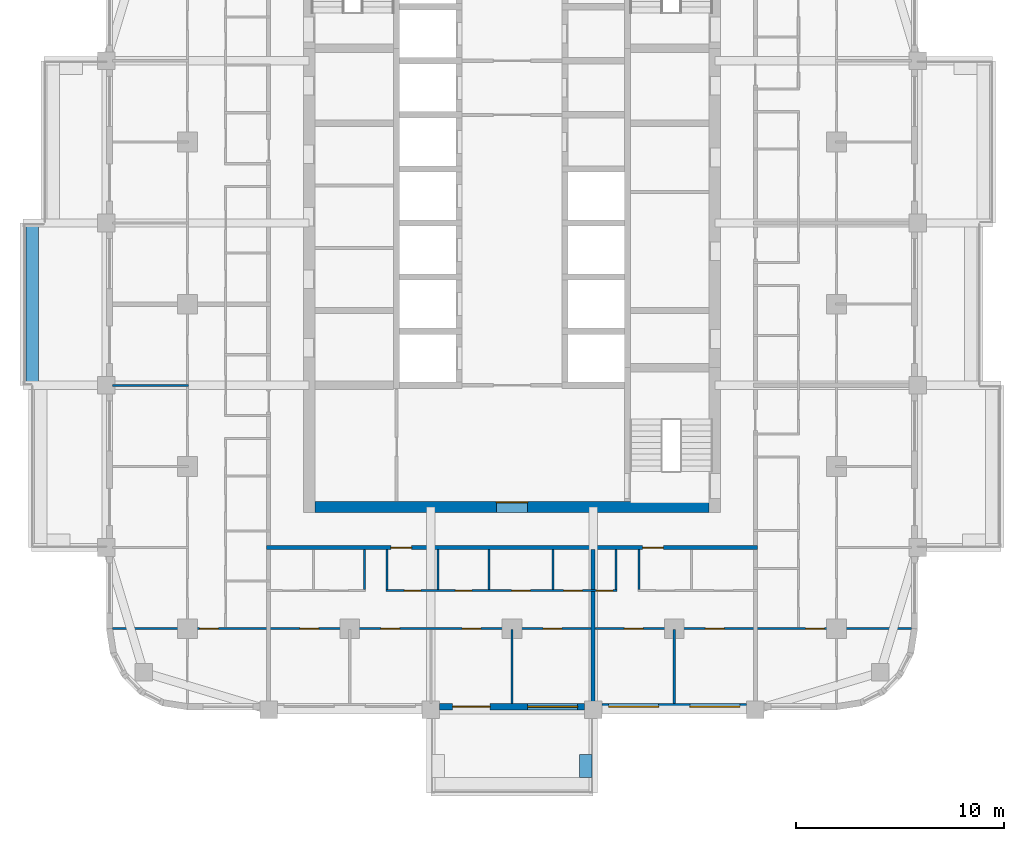
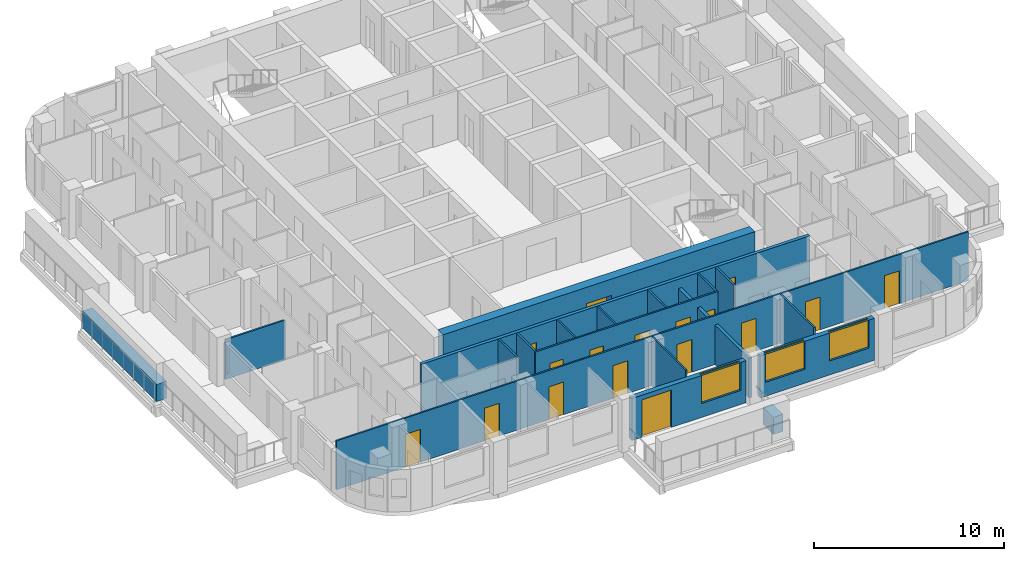
# One storey, part 3 of 14: 19 walls, 17 doors, 3 windows, 20 openings.
"""IFC4 building model written with IfcOpenShell, lengths in metres."""

from ifc_helpers import new_model, si_unit, direction, frame, frame_2d, origin, place, context, subcontext, project, spatial, rectangle, extrude, material, layer, layer_set, type_object, element, fill, save


model = new_model("IFC4")

# Units and contexts
model_context = context("Model", 3, precision=1e-05, world=origin(), true_north=direction((0.0, 1.0)))
body_context = subcontext(model_context, "Body", "Model", "MODEL_VIEW")
ifc_project = project(units=[si_unit("LENGTHUNIT", "METRE"), si_unit("AREAUNIT", "SQUARE_METRE"), si_unit("VOLUMEUNIT", "CUBIC_METRE"), si_unit("PLANEANGLEUNIT", "RADIAN"), si_unit("MASSUNIT", "GRAM", prefix="KILO")], contexts=[model_context])

# Site, building, storey
site_placement = place(None, origin())
site = spatial("IfcSite", under=ifc_project, at=site_placement, CompositionType="ELEMENT")
building_placement = place(site_placement, origin())
building = spatial("IfcBuilding", under=site, at=building_placement, Name="Ludao Terraces", CompositionType="ELEMENT")
storey_placement = place(building_placement, frame((0.0, 0.0, 103.300048828125)))
storey = spatial("IfcBuildingStorey", under=building, at=storey_placement, Name="L28", CompositionType="ELEMENT", Elevation=103.300048828125)

# Wall, opening, door
ifc_material_1 = material(Name="Concrete C60", Category="concrete")
ifc_layer_1 = layer(ifc_material_1, 0.550048828125)
ifc_layer_set_1 = layer_set([ifc_layer_1], Name="Core wall 550 C60")
wall_type_1 = type_object("IfcWallType", Name="Core wall 550 C60", PredefinedType="SOLIDWALL", material=ifc_layer_set_1)
wall_1_placement = place(storey_placement, frame((75.52490234375, 55.25, -0.25), z_axis=(0.0, 0.0, 1.0), x_axis=(1.0, 0.0, 0.0)))
wall_1 = element("IfcWall", 1, at=wall_1_placement, inside=storey, type_object=wall_type_1, Name="Core wall L28 outer-S", PredefinedType="SOLIDWALL", context=body_context, shape_type="SweptSolid", body=[
    extrude(rectangle(XDim=18.9501953125, YDim=0.550048828125, at=frame_2d((9.47509765625, 0.0))), origin(), (0.0, 0.0, 1.0), 3.39990234375),
])
opening_1_placement = place(wall_1_placement, frame((8.72509765625, 0.0, 0.25)))
opening_1 = element("IfcOpeningElement", 2, at=opening_1_placement, cuts=wall_1, Name="Opening R08-029", PredefinedType="OPENING", context=body_context, shape_type="SweptSolid", body=[
    extrude(rectangle(XDim=1.5, YDim=2.10009765625, at=frame_2d((0.75, 1.050048828125))), frame((0.0, 0.28515625, 0.0), z_axis=(0.0, -1.0, 0.0), x_axis=(1.0, 0.0, 0.0)), (0.0, 0.0, 1.0), 0.570068359375),
])
ifc_material_2 = material(Name="Steel Q235", Category="steel")
door_type_1 = type_object("IfcDoorType", Name="INT Lobby door 1500", OperationType="DOUBLE_DOOR_SINGLE_SWING", PredefinedType="DOOR", material=ifc_material_2)
door_1_placement = place(opening_1_placement, origin())
door_1 = element("IfcDoor", 3, at=door_1_placement, inside=storey, type_object=door_type_1, Name="DOOR 029", OperationType="DOUBLE_DOOR_SINGLE_SWING", OverallHeight=2.10009765625, OverallWidth=1.5, PredefinedType="DOOR", context=body_context, shape_type="SweptSolid", body=[
    extrude(rectangle(XDim=1.5, YDim=2.10009765625, at=frame_2d((0.75, 1.050048828125))), frame((0.0, 0.26025390625, 0.0), z_axis=(0.0, -1.0, 0.0), x_axis=(1.0, 0.0, 0.0)), (0.0, 0.0, 1.0), 0.050048828125),
])
fill(opening_1, door_1)

# Walls
ifc_material_3 = material(Name="Concrete C40", Category="concrete")
ifc_layer_2 = layer(ifc_material_3, 0.60009765625)
ifc_layer_set_2 = layer_set([ifc_layer_2], Name="ENV Planter trough 600")
wall_type_2 = type_object("IfcWallType", Name="ENV Planter trough 600", PredefinedType="USERDEFINED", material=ifc_layer_set_2)
wall_2_placement = place(storey_placement, frame((88.550048828125, 42.25, 0.0), z_axis=(0.0, 0.0, 1.0), x_axis=(0.0, 1.0, 0.0)))
element("IfcWall", 4, at=wall_2_placement, inside=storey, type_object=wall_type_2, Name="PL-L28-S1-SB", ObjectType="PLANTER", PredefinedType="USERDEFINED", context=body_context, shape_type="SweptSolid", body=[
    extrude(rectangle(XDim=1.10009765625, YDim=0.60009765625, at=frame_2d((0.550048828125, 0.0))), origin(), (0.0, 0.0, 1.0), 1.099853515625),
])
wall_3_placement = place(storey_placement, frame((61.949951171875, 61.10009765625, 0.0), z_axis=(0.0, 0.0, 1.0), x_axis=(0.0, 1.0, 0.0)))
element("IfcWall", 5, at=wall_3_placement, inside=storey, type_object=wall_type_2, Name="PL-L28-W2", ObjectType="PLANTER", PredefinedType="USERDEFINED", context=body_context, shape_type="SweptSolid", body=[
    extrude(rectangle(XDim=7.7998046875, YDim=0.60009765625, at=frame_2d((3.89990234375, 0.0))), origin(), (0.0, 0.0, 1.0), 1.099853515625),
])

# Wall, openings, door, window
ifc_material_4 = material(Name="Granite cladding", Category="masonry")
ifc_layer_3 = layer(ifc_material_4, 0.0400390625, Category="stone")
ifc_material_5 = material(Name="Mineral wool")
ifc_layer_4 = layer(ifc_material_5, 0.06005859375)
ifc_layer_5 = layer(ifc_material_3, 0.199951171875, Category="concrete")
ifc_layer_set_3 = layer_set([ifc_layer_3, ifc_layer_4, ifc_layer_5], Name="ENV Stone-clad wall 300")
wall_type_3 = type_object("IfcWallType", Name="ENV Stone-clad wall 300", PredefinedType="SOLIDWALL", material=ifc_layer_set_3)
wall_4_placement = place(storey_placement, frame((81.52490234375, 45.64990234375, 0.0), z_axis=(0.0, 0.0, 1.0), x_axis=(1.0, 0.0, 0.0)))
wall_4 = element("IfcWall", 6, at=wall_4_placement, inside=storey, type_object=wall_type_3, Name="EW-L28-S3", PredefinedType="SOLIDWALL", context=body_context, shape_type="SweptSolid", body=[
    extrude(rectangle(XDim=6.9501953125, YDim=0.300048828125, at=frame_2d((3.47509765625, 0.0))), origin(), (0.0, 0.0, 1.0), 2.699951171875),
])
opening_2_placement = place(wall_4_placement, frame((0.625, 0.0, 0.0)))
opening_2 = element("IfcOpeningElement", 7, at=opening_2_placement, cuts=wall_4, Name="Opening BD", PredefinedType="OPENING", context=body_context, shape_type="SweptSolid", body=[
    extrude(rectangle(XDim=1.800048828125, YDim=2.39990234375, at=frame_2d((0.89990234375, 1.199951171875))), frame((0.0, 0.16015625, 0.0), z_axis=(0.0, -1.0, 0.0), x_axis=(1.0, 0.0, 0.0)), (0.0, 0.0, 1.0), 0.320068359375),
])
opening_3_placement = place(wall_4_placement, frame((4.22509765625, 0.0, 0.89990234375)))
opening_3 = element("IfcOpeningElement", 8, at=opening_3_placement, cuts=wall_4, Name="Opening W1", PredefinedType="OPENING", context=body_context, shape_type="SweptSolid", body=[
    extrude(rectangle(XDim=2.39990234375, YDim=1.800048828125, at=frame_2d((1.199951171875, 0.89990234375))), frame((0.0, 0.16015625, 0.0), z_axis=(0.0, -1.0, 0.0), x_axis=(1.0, 0.0, 0.0)), (0.0, 0.0, 1.0), 0.320068359375),
])
ifc_material_6 = material(Name="Aluminium glazed door", Category="aluminium")
ifc_layer_6 = layer(ifc_material_6, 0.06005859375)
ifc_layer_set_4 = layer_set([ifc_layer_6], Name="ENV Balcony door BD 1800x2400")
door_type_2 = type_object("IfcDoorType", Name="ENV Balcony door BD 1800x2400", OperationType="DOUBLE_DOOR_SINGLE_SWING", PredefinedType="DOOR", material=ifc_layer_set_4)
door_2_placement = place(opening_2_placement, origin())
door_2 = element("IfcDoor", 9, at=door_2_placement, inside=storey, type_object=door_type_2, Name="BD-L28-S3-1", OperationType="DOUBLE_DOOR_SINGLE_SWING", OverallHeight=2.39990234375, OverallWidth=1.800048828125, PredefinedType="DOOR", context=body_context, shape_type="SweptSolid", body=[
    extrude(rectangle(XDim=1.800048828125, YDim=2.39990234375, at=frame_2d((0.89990234375, 1.199951171875))), frame((0.0, 0.02490234375, 0.0), z_axis=(0.0, -1.0, 0.0), x_axis=(1.0, 0.0, 0.0)), (0.0, 0.0, 1.0), 0.050048828125),
])
fill(opening_2, door_2)
ifc_material_7 = material(Name="Clear glass in aluminium frame", Category="aluminium")
ifc_layer_7 = layer(ifc_material_7, 0.06005859375)
ifc_layer_set_5 = layer_set([ifc_layer_7], Name="ENV Window W1 2400x1800")
window_type = type_object("IfcWindowType", Name="ENV Window W1 2400x1800", PartitioningType="DOUBLE_PANEL_VERTICAL", PredefinedType="WINDOW", material=ifc_layer_set_5)
window_1_placement = place(opening_3_placement, origin())
window_1 = element("IfcWindow", 10, at=window_1_placement, inside=storey, type_object=window_type, Name="W-L28-S3-2", OverallHeight=1.800048828125, OverallWidth=2.39990234375, PartitioningType="DOUBLE_PANEL_VERTICAL", PredefinedType="WINDOW", context=body_context, shape_type="SweptSolid", body=[
    extrude(rectangle(XDim=2.39990234375, YDim=1.800048828125, at=frame_2d((1.199951171875, 0.89990234375))), frame((0.0, 0.030029296875, 0.0), z_axis=(0.0, -1.0, 0.0), x_axis=(1.0, 0.0, 0.0)), (0.0, 0.0, 1.0), 0.06005859375),
])
fill(opening_3, window_1)

# Wall, openings, windows
wall_5_placement = place(storey_placement, frame((89.324951171875, 45.64990234375, 0.0), z_axis=(0.0, 0.0, 1.0), x_axis=(1.0, 0.0, 0.0)))
wall_5 = element("IfcWall", 11, at=wall_5_placement, inside=storey, type_object=wall_type_3, Name="EW-L28-S4", PredefinedType="SOLIDWALL", context=body_context, shape_type="SweptSolid", body=[
    extrude(rectangle(XDim=6.949951171875, YDim=0.300048828125, at=frame_2d((3.47509765625, 0.0))), origin(), (0.0, 0.0, 1.0), 2.699951171875),
])
opening_4_placement = place(wall_5_placement, frame((0.324951171875, 0.0, 0.89990234375)))
opening_4 = element("IfcOpeningElement", 12, at=opening_4_placement, cuts=wall_5, Name="Opening W1", PredefinedType="OPENING", context=body_context, shape_type="SweptSolid", body=[
    extrude(rectangle(XDim=2.39990234375, YDim=1.800048828125, at=frame_2d((1.199951171875, 0.89990234375))), frame((0.0, 0.16015625, 0.0), z_axis=(0.0, -1.0, 0.0), x_axis=(1.0, 0.0, 0.0)), (0.0, 0.0, 1.0), 0.320068359375),
])
opening_5_placement = place(wall_5_placement, frame((4.22509765625, 0.0, 0.89990234375)))
opening_5 = element("IfcOpeningElement", 13, at=opening_5_placement, cuts=wall_5, Name="Opening W1", PredefinedType="OPENING", context=body_context, shape_type="SweptSolid", body=[
    extrude(rectangle(XDim=2.39990234375, YDim=1.800048828125, at=frame_2d((1.199951171875, 0.89990234375))), frame((0.0, 0.16015625, 0.0), z_axis=(0.0, -1.0, 0.0), x_axis=(1.0, 0.0, 0.0)), (0.0, 0.0, 1.0), 0.320068359375),
])
window_2_placement = place(opening_4_placement, origin())
window_2 = element("IfcWindow", 14, at=window_2_placement, inside=storey, type_object=window_type, Name="W-L28-S4-1", OverallHeight=1.800048828125, OverallWidth=2.39990234375, PartitioningType="DOUBLE_PANEL_VERTICAL", PredefinedType="WINDOW", context=body_context, shape_type="SweptSolid", body=[
    extrude(rectangle(XDim=2.39990234375, YDim=1.800048828125, at=frame_2d((1.199951171875, 0.89990234375))), frame((0.0, 0.030029296875, 0.0), z_axis=(0.0, -1.0, 0.0), x_axis=(1.0, 0.0, 0.0)), (0.0, 0.0, 1.0), 0.06005859375),
])
fill(opening_4, window_2)
window_3_placement = place(opening_5_placement, origin())
window_3 = element("IfcWindow", 15, at=window_3_placement, inside=storey, type_object=window_type, Name="W-L28-S4-2", OverallHeight=1.800048828125, OverallWidth=2.39990234375, PartitioningType="DOUBLE_PANEL_VERTICAL", PredefinedType="WINDOW", context=body_context, shape_type="SweptSolid", body=[
    extrude(rectangle(XDim=2.39990234375, YDim=1.800048828125, at=frame_2d((1.199951171875, 0.89990234375))), frame((0.0, 0.030029296875, 0.0), z_axis=(0.0, -1.0, 0.0), x_axis=(1.0, 0.0, 0.0)), (0.0, 0.0, 1.0), 0.06005859375),
])
fill(opening_5, window_3)

# Wall, openings, doors
ifc_material_8 = material(Name="Autoclaved aerated concrete block B06 A3.5", Category="concrete")
ifc_layer_8 = layer(ifc_material_8, 0.199951171875)
ifc_layer_set_6 = layer_set([ifc_layer_8], Name="INT Entrance wall 200")
wall_type_4 = type_object("IfcWallType", Name="INT Entrance wall 200", PredefinedType="PARTITIONING", material=ifc_layer_set_6)
wall_6_placement = place(storey_placement, frame((73.2001953125, 53.300048828125, 0.0), z_axis=(0.0, 0.0, 1.0), x_axis=(1.0, 0.0, 0.0)))
wall_6 = element("IfcWall", 16, at=wall_6_placement, inside=storey, type_object=wall_type_4, Name="PW-L28-PW007", PredefinedType="PARTITIONING", context=body_context, shape_type="SweptSolid", body=[
    extrude(rectangle(XDim=23.599853515625, YDim=0.199951171875, at=frame_2d((11.7998046875, 0.0))), origin(), (0.0, 0.0, 1.0), 3.14990234375),
])
opening_6_placement = place(wall_6_placement, frame((5.974853515625, 0.0, 0.0)))
opening_6 = element("IfcOpeningElement", 17, at=opening_6_placement, cuts=wall_6, Name="Opening R08-026", PredefinedType="OPENING", context=body_context, shape_type="SweptSolid", body=[
    extrude(rectangle(XDim=1.0, YDim=2.10009765625, at=frame_2d((0.5, 1.050048828125))), frame((0.0, 0.10986328125, 0.0), z_axis=(0.0, -1.0, 0.0), x_axis=(1.0, 0.0, 0.0)), (0.0, 0.0, 1.0), 0.219970703125),
])
opening_7_placement = place(wall_6_placement, frame((18.074951171875, 0.0, 0.0)))
opening_7 = element("IfcOpeningElement", 18, at=opening_7_placement, cuts=wall_6, Name="Opening R08-027", PredefinedType="OPENING", context=body_context, shape_type="SweptSolid", body=[
    extrude(rectangle(XDim=1.0, YDim=2.10009765625, at=frame_2d((0.5, 1.050048828125))), frame((0.0, 0.10986328125, 0.0), z_axis=(0.0, -1.0, 0.0), x_axis=(1.0, 0.0, 0.0)), (0.0, 0.0, 1.0), 0.219970703125),
])
door_type_3 = type_object("IfcDoorType", Name="INT Flat entrance door 1000", OperationType="SINGLE_SWING_LEFT", PredefinedType="DOOR", material=ifc_material_2)
door_3_placement = place(opening_6_placement, origin())
door_3 = element("IfcDoor", 19, at=door_3_placement, inside=storey, type_object=door_type_3, Name="DOOR 026", OperationType="SINGLE_SWING_LEFT", OverallHeight=2.10009765625, OverallWidth=1.0, PredefinedType="DOOR", context=body_context, shape_type="SweptSolid", body=[
    extrude(rectangle(XDim=1.0, YDim=2.10009765625, at=frame_2d((0.5, 1.050048828125))), frame((0.0, 0.02490234375, 0.0), z_axis=(0.0, -1.0, 0.0), x_axis=(1.0, 0.0, 0.0)), (0.0, 0.0, 1.0), 0.050048828125),
])
fill(opening_6, door_3)
door_4_placement = place(opening_7_placement, origin())
door_4 = element("IfcDoor", 20, at=door_4_placement, inside=storey, type_object=door_type_3, Name="DOOR 027", OperationType="SINGLE_SWING_LEFT", OverallHeight=2.10009765625, OverallWidth=1.0, PredefinedType="DOOR", context=body_context, shape_type="SweptSolid", body=[
    extrude(rectangle(XDim=1.0, YDim=2.10009765625, at=frame_2d((0.5, 1.050048828125))), frame((0.0, 0.02490234375, 0.0), z_axis=(0.0, -1.0, 0.0), x_axis=(1.0, 0.0, 0.0)), (0.0, 0.0, 1.0), 0.050048828125),
])
fill(opening_7, door_4)

ifc_material_9 = material(Name="Gypsum plasterboard", Category="gypsum")
ifc_layer_9 = layer(ifc_material_9, 0.012451171875, Category="gypsum")
ifc_layer_10 = layer(ifc_material_5, 0.06005859375, Name="insulation")
ifc_layer_11 = layer(ifc_material_2, 0.014892578125, Name="stud")
ifc_layer_12 = layer(ifc_material_9, 0.012451171875, Category="gypsum")
ifc_layer_set_7 = layer_set([ifc_layer_9, ifc_layer_10, ifc_layer_11, ifc_layer_12], Name="INT Partition 100")
wall_type_5 = type_object("IfcWallType", Name="INT Partition 100", PredefinedType="PARTITIONING", material=ifc_layer_set_7)
wall_7_placement = place(storey_placement, frame((65.800048828125, 49.39990234375, 0.0), z_axis=(0.0, 0.0, 1.0), x_axis=(1.0, 0.0, 0.0)))
wall_7 = element("IfcWall", 21, at=wall_7_placement, inside=storey, type_object=wall_type_5, Name="PW-L28-PW000", PredefinedType="PARTITIONING", context=body_context, shape_type="SweptSolid", body=[
    extrude(rectangle(XDim=38.400146484375, YDim=0.10009765625, at=frame_2d((19.2001953125, 0.0))), origin(), (0.0, 0.0, 1.0), 3.14990234375),
])
opening_8_placement = place(wall_7_placement, frame((4.18994140625, 0.0, 0.0)))
opening_8 = element("IfcOpeningElement", 22, at=opening_8_placement, cuts=wall_7, Name="Opening R08-003", PredefinedType="OPENING", context=body_context, shape_type="SweptSolid", body=[
    extrude(rectangle(XDim=0.89990234375, YDim=2.10009765625, at=frame_2d((0.449951171875, 1.050048828125))), frame((0.0, 0.06005859375, 0.0), z_axis=(0.0, -1.0, 0.0), x_axis=(1.0, 0.0, 0.0)), (0.0, 0.0, 1.0), 0.1201171875),
])
opening_9_placement = place(wall_7_placement, frame((9.0, 0.0, 0.0)))
opening_9 = element("IfcOpeningElement", 23, at=opening_9_placement, cuts=wall_7, Name="Opening R08-004", PredefinedType="OPENING", context=body_context, shape_type="SweptSolid", body=[
    extrude(rectangle(XDim=0.89990234375, YDim=2.10009765625, at=frame_2d((0.449951171875, 1.050048828125))), frame((0.0, 0.06005859375, 0.0), z_axis=(0.0, -1.0, 0.0), x_axis=(1.0, 0.0, 0.0)), (0.0, 0.0, 1.0), 0.1201171875),
])
opening_10_placement = place(wall_7_placement, frame((12.89990234375, 0.0, 0.0)))
opening_10 = element("IfcOpeningElement", 24, at=opening_10_placement, cuts=wall_7, Name="Opening R08-005", PredefinedType="OPENING", context=body_context, shape_type="SweptSolid", body=[
    extrude(rectangle(XDim=0.89990234375, YDim=2.10009765625, at=frame_2d((0.449951171875, 1.050048828125))), frame((0.0, 0.06005859375, 0.0), z_axis=(0.0, -1.0, 0.0), x_axis=(1.0, 0.0, 0.0)), (0.0, 0.0, 1.0), 0.1201171875),
])
opening_11_placement = place(wall_7_placement, frame((16.800048828125, 0.0, 0.0)))
opening_11 = element("IfcOpeningElement", 25, at=opening_11_placement, cuts=wall_7, Name="Opening R08-006", PredefinedType="OPENING", context=body_context, shape_type="SweptSolid", body=[
    extrude(rectangle(XDim=0.89990234375, YDim=2.10009765625, at=frame_2d((0.449951171875, 1.050048828125))), frame((0.0, 0.06005859375, 0.0), z_axis=(0.0, -1.0, 0.0), x_axis=(1.0, 0.0, 0.0)), (0.0, 0.0, 1.0), 0.1201171875),
])
opening_12_placement = place(wall_7_placement, frame((20.699951171875, 0.0, 0.0)))
opening_12 = element("IfcOpeningElement", 26, at=opening_12_placement, cuts=wall_7, Name="Opening R08-007", PredefinedType="OPENING", context=body_context, shape_type="SweptSolid", body=[
    extrude(rectangle(XDim=0.89990234375, YDim=2.10009765625, at=frame_2d((0.449951171875, 1.050048828125))), frame((0.0, 0.06005859375, 0.0), z_axis=(0.0, -1.0, 0.0), x_axis=(1.0, 0.0, 0.0)), (0.0, 0.0, 1.0), 0.1201171875),
])
opening_13_placement = place(wall_7_placement, frame((24.60009765625, 0.0, 0.0)))
opening_13 = element("IfcOpeningElement", 27, at=opening_13_placement, cuts=wall_7, Name="Opening R08-008", PredefinedType="OPENING", context=body_context, shape_type="SweptSolid", body=[
    extrude(rectangle(XDim=0.89990234375, YDim=2.10009765625, at=frame_2d((0.449951171875, 1.050048828125))), frame((0.0, 0.06005859375, 0.0), z_axis=(0.0, -1.0, 0.0), x_axis=(1.0, 0.0, 0.0)), (0.0, 0.0, 1.0), 0.1201171875),
])
opening_14_placement = place(wall_7_placement, frame((28.5, 0.0, 0.0)))
opening_14 = element("IfcOpeningElement", 28, at=opening_14_placement, cuts=wall_7, Name="Opening R08-009", PredefinedType="OPENING", context=body_context, shape_type="SweptSolid", body=[
    extrude(rectangle(XDim=0.89990234375, YDim=2.10009765625, at=frame_2d((0.449951171875, 1.050048828125))), frame((0.0, 0.06005859375, 0.0), z_axis=(0.0, -1.0, 0.0), x_axis=(1.0, 0.0, 0.0)), (0.0, 0.0, 1.0), 0.1201171875),
])
opening_15_placement = place(wall_7_placement, frame((33.31005859375, 0.0, 0.0)))
opening_15 = element("IfcOpeningElement", 29, at=opening_15_placement, cuts=wall_7, Name="Opening R08-010", PredefinedType="OPENING", context=body_context, shape_type="SweptSolid", body=[
    extrude(rectangle(XDim=0.89990234375, YDim=2.10009765625, at=frame_2d((0.449951171875, 1.050048828125))), frame((0.0, 0.06005859375, 0.0), z_axis=(0.0, -1.0, 0.0), x_axis=(1.0, 0.0, 0.0)), (0.0, 0.0, 1.0), 0.1201171875),
])
ifc_material_10 = material(Name="Timber door leaf", Category="wood")
door_type_4 = type_object("IfcDoorType", Name="INT Room door 900", OperationType="SINGLE_SWING_LEFT", PredefinedType="DOOR", material=ifc_material_10)
door_5_placement = place(opening_8_placement, origin())
door_5 = element("IfcDoor", 30, at=door_5_placement, inside=storey, type_object=door_type_4, Name="DOOR 003", OperationType="SINGLE_SWING_RIGHT", OverallHeight=2.10009765625, OverallWidth=0.89990234375, PredefinedType="DOOR", context=body_context, shape_type="SweptSolid", body=[
    extrude(rectangle(XDim=0.89990234375, YDim=2.10009765625, at=frame_2d((0.449951171875, 1.050048828125))), frame((0.0, 0.02490234375, 0.0), z_axis=(0.0, -1.0, 0.0), x_axis=(1.0, 0.0, 0.0)), (0.0, 0.0, 1.0), 0.050048828125),
])
fill(opening_8, door_5)
door_6_placement = place(opening_9_placement, origin())
door_6 = element("IfcDoor", 31, at=door_6_placement, inside=storey, type_object=door_type_4, Name="DOOR 004", OperationType="SINGLE_SWING_RIGHT", OverallHeight=2.10009765625, OverallWidth=0.89990234375, PredefinedType="DOOR", context=body_context, shape_type="SweptSolid", body=[
    extrude(rectangle(XDim=0.89990234375, YDim=2.10009765625, at=frame_2d((0.449951171875, 1.050048828125))), frame((0.0, 0.02490234375, 0.0), z_axis=(0.0, -1.0, 0.0), x_axis=(1.0, 0.0, 0.0)), (0.0, 0.0, 1.0), 0.050048828125),
])
fill(opening_9, door_6)
door_7_placement = place(opening_10_placement, origin())
door_7 = element("IfcDoor", 32, at=door_7_placement, inside=storey, type_object=door_type_4, Name="DOOR 005", OperationType="SINGLE_SWING_RIGHT", OverallHeight=2.10009765625, OverallWidth=0.89990234375, PredefinedType="DOOR", context=body_context, shape_type="SweptSolid", body=[
    extrude(rectangle(XDim=0.89990234375, YDim=2.10009765625, at=frame_2d((0.449951171875, 1.050048828125))), frame((0.0, 0.02490234375, 0.0), z_axis=(0.0, -1.0, 0.0), x_axis=(1.0, 0.0, 0.0)), (0.0, 0.0, 1.0), 0.050048828125),
])
fill(opening_10, door_7)
door_8_placement = place(opening_11_placement, origin())
door_8 = element("IfcDoor", 33, at=door_8_placement, inside=storey, type_object=door_type_4, Name="DOOR 006", OperationType="SINGLE_SWING_RIGHT", OverallHeight=2.10009765625, OverallWidth=0.89990234375, PredefinedType="DOOR", context=body_context, shape_type="SweptSolid", body=[
    extrude(rectangle(XDim=0.89990234375, YDim=2.10009765625, at=frame_2d((0.449951171875, 1.050048828125))), frame((0.0, 0.02490234375, 0.0), z_axis=(0.0, -1.0, 0.0), x_axis=(1.0, 0.0, 0.0)), (0.0, 0.0, 1.0), 0.050048828125),
])
fill(opening_11, door_8)
door_9_placement = place(opening_12_placement, origin())
door_9 = element("IfcDoor", 34, at=door_9_placement, inside=storey, type_object=door_type_4, Name="DOOR 007", OperationType="SINGLE_SWING_LEFT", OverallHeight=2.10009765625, OverallWidth=0.89990234375, PredefinedType="DOOR", context=body_context, shape_type="SweptSolid", body=[
    extrude(rectangle(XDim=0.89990234375, YDim=2.10009765625, at=frame_2d((0.449951171875, 1.050048828125))), frame((0.0, 0.02490234375, 0.0), z_axis=(0.0, -1.0, 0.0), x_axis=(1.0, 0.0, 0.0)), (0.0, 0.0, 1.0), 0.050048828125),
])
fill(opening_12, door_9)
door_10_placement = place(opening_13_placement, origin())
door_10 = element("IfcDoor", 35, at=door_10_placement, inside=storey, type_object=door_type_4, Name="DOOR 008", OperationType="SINGLE_SWING_RIGHT", OverallHeight=2.10009765625, OverallWidth=0.89990234375, PredefinedType="DOOR", context=body_context, shape_type="SweptSolid", body=[
    extrude(rectangle(XDim=0.89990234375, YDim=2.10009765625, at=frame_2d((0.449951171875, 1.050048828125))), frame((0.0, 0.02490234375, 0.0), z_axis=(0.0, -1.0, 0.0), x_axis=(1.0, 0.0, 0.0)), (0.0, 0.0, 1.0), 0.050048828125),
])
fill(opening_13, door_10)
door_11_placement = place(opening_14_placement, origin())
door_11 = element("IfcDoor", 36, at=door_11_placement, inside=storey, type_object=door_type_4, Name="DOOR 009", OperationType="SINGLE_SWING_RIGHT", OverallHeight=2.10009765625, OverallWidth=0.89990234375, PredefinedType="DOOR", context=body_context, shape_type="SweptSolid", body=[
    extrude(rectangle(XDim=0.89990234375, YDim=2.10009765625, at=frame_2d((0.449951171875, 1.050048828125))), frame((0.0, 0.02490234375, 0.0), z_axis=(0.0, -1.0, 0.0), x_axis=(1.0, 0.0, 0.0)), (0.0, 0.0, 1.0), 0.050048828125),
])
fill(opening_14, door_11)
door_12_placement = place(opening_15_placement, origin())
door_12 = element("IfcDoor", 37, at=door_12_placement, inside=storey, type_object=door_type_4, Name="DOOR 010", OperationType="SINGLE_SWING_LEFT", OverallHeight=2.10009765625, OverallWidth=0.89990234375, PredefinedType="DOOR", context=body_context, shape_type="SweptSolid", body=[
    extrude(rectangle(XDim=0.89990234375, YDim=2.10009765625, at=frame_2d((0.449951171875, 1.050048828125))), frame((0.0, 0.02490234375, 0.0), z_axis=(0.0, -1.0, 0.0), x_axis=(1.0, 0.0, 0.0)), (0.0, 0.0, 1.0), 0.050048828125),
])
fill(opening_15, door_12)

wall_8_placement = place(storey_placement, frame((78.9501953125, 51.22998046875, 0.0), z_axis=(0.0, 0.0, 1.0), x_axis=(1.0, 0.0, 0.0)))
wall_8 = element("IfcWall", 38, at=wall_8_placement, inside=storey, type_object=wall_type_5, Name="PW-L28-PW002", PredefinedType="PARTITIONING", context=body_context, shape_type="SweptSolid", body=[
    extrude(rectangle(XDim=11.099853515625, YDim=0.10009765625, at=frame_2d((5.5498046875, 0.0))), origin(), (0.0, 0.0, 1.0), 3.14990234375),
])
opening_16_placement = place(wall_8_placement, frame((0.875, 0.0, 0.0)))
opening_16 = element("IfcOpeningElement", 39, at=opening_16_placement, cuts=wall_8, Name="Opening R08-015", PredefinedType="OPENING", context=body_context, shape_type="SweptSolid", body=[
    extrude(rectangle(XDim=0.800048828125, YDim=2.10009765625, at=frame_2d((0.39990234375, 1.050048828125))), frame((0.0, 0.06005859375, 0.0), z_axis=(0.0, -1.0, 0.0), x_axis=(1.0, 0.0, 0.0)), (0.0, 0.0, 1.0), 0.1201171875),
])
opening_17_placement = place(wall_8_placement, frame((3.324951171875, 0.0, 0.0)))
opening_17 = element("IfcOpeningElement", 40, at=opening_17_placement, cuts=wall_8, Name="Opening R08-016", PredefinedType="OPENING", context=body_context, shape_type="SweptSolid", body=[
    extrude(rectangle(XDim=0.800048828125, YDim=2.10009765625, at=frame_2d((0.39990234375, 1.050048828125))), frame((0.0, 0.06005859375, 0.0), z_axis=(0.0, -1.0, 0.0), x_axis=(1.0, 0.0, 0.0)), (0.0, 0.0, 1.0), 0.1201171875),
])
opening_18_placement = place(wall_8_placement, frame((6.034912109375, 0.0, 0.0)))
opening_18 = element("IfcOpeningElement", 41, at=opening_18_placement, cuts=wall_8, Name="Opening R08-017", PredefinedType="OPENING", context=body_context, shape_type="SweptSolid", body=[
    extrude(rectangle(XDim=0.89990234375, YDim=2.10009765625, at=frame_2d((0.449951171875, 1.050048828125))), frame((0.0, 0.06005859375, 0.0), z_axis=(0.0, -1.0, 0.0), x_axis=(1.0, 0.0, 0.0)), (0.0, 0.0, 1.0), 0.1201171875),
])
opening_19_placement = place(wall_8_placement, frame((8.534912109375, 0.0, 0.0)))
opening_19 = element("IfcOpeningElement", 42, at=opening_19_placement, cuts=wall_8, Name="Opening R08-018", PredefinedType="OPENING", context=body_context, shape_type="SweptSolid", body=[
    extrude(rectangle(XDim=0.89990234375, YDim=2.10009765625, at=frame_2d((0.449951171875, 1.050048828125))), frame((0.0, 0.06005859375, 0.0), z_axis=(0.0, -1.0, 0.0), x_axis=(1.0, 0.0, 0.0)), (0.0, 0.0, 1.0), 0.1201171875),
])
opening_20_placement = place(wall_8_placement, frame((10.099853515625, 0.0, 0.0)))
opening_20 = element("IfcOpeningElement", 43, at=opening_20_placement, cuts=wall_8, Name="Opening R08-019", PredefinedType="OPENING", context=body_context, shape_type="SweptSolid", body=[
    extrude(rectangle(XDim=0.800048828125, YDim=2.10009765625, at=frame_2d((0.39990234375, 1.050048828125))), frame((0.0, 0.06005859375, 0.0), z_axis=(0.0, -1.0, 0.0), x_axis=(1.0, 0.0, 0.0)), (0.0, 0.0, 1.0), 0.1201171875),
])
door_type_5 = type_object("IfcDoorType", Name="INT Bathroom door 900", OperationType="SINGLE_SWING_LEFT", PredefinedType="DOOR", material=ifc_material_10)
door_13_placement = place(opening_19_placement, origin())
door_13 = element("IfcDoor", 44, at=door_13_placement, inside=storey, type_object=door_type_5, Name="DOOR 018", OperationType="SINGLE_SWING_RIGHT", OverallHeight=2.10009765625, OverallWidth=0.89990234375, PredefinedType="DOOR", context=body_context, shape_type="SweptSolid", body=[
    extrude(rectangle(XDim=0.89990234375, YDim=2.10009765625, at=frame_2d((0.449951171875, 1.050048828125))), frame((0.0, 0.02490234375, 0.0), z_axis=(0.0, -1.0, 0.0), x_axis=(1.0, 0.0, 0.0)), (0.0, 0.0, 1.0), 0.050048828125),
])
fill(opening_19, door_13)
door_14_placement = place(opening_18_placement, origin())
door_14 = element("IfcDoor", 45, at=door_14_placement, inside=storey, type_object=door_type_4, Name="DOOR 017", OperationType="SINGLE_SWING_LEFT", OverallHeight=2.10009765625, OverallWidth=0.89990234375, PredefinedType="DOOR", context=body_context, shape_type="SweptSolid", body=[
    extrude(rectangle(XDim=0.89990234375, YDim=2.10009765625, at=frame_2d((0.449951171875, 1.050048828125))), frame((0.0, 0.02490234375, 0.0), z_axis=(0.0, -1.0, 0.0), x_axis=(1.0, 0.0, 0.0)), (0.0, 0.0, 1.0), 0.050048828125),
])
fill(opening_18, door_14)
door_type_6 = type_object("IfcDoorType", Name="INT Store door 800", OperationType="SINGLE_SWING_LEFT", PredefinedType="DOOR", material=ifc_material_10)
door_15_placement = place(opening_16_placement, origin())
door_15 = element("IfcDoor", 46, at=door_15_placement, inside=storey, type_object=door_type_6, Name="DOOR 015", OperationType="SINGLE_SWING_RIGHT", OverallHeight=2.10009765625, OverallWidth=0.800048828125, PredefinedType="DOOR", context=body_context, shape_type="SweptSolid", body=[
    extrude(rectangle(XDim=0.800048828125, YDim=2.10009765625, at=frame_2d((0.39990234375, 1.050048828125))), frame((0.0, 0.02490234375, 0.0), z_axis=(0.0, -1.0, 0.0), x_axis=(1.0, 0.0, 0.0)), (0.0, 0.0, 1.0), 0.050048828125),
])
fill(opening_16, door_15)
door_16_placement = place(opening_17_placement, origin())
door_16 = element("IfcDoor", 47, at=door_16_placement, inside=storey, type_object=door_type_6, Name="DOOR 016", OperationType="SINGLE_SWING_LEFT", OverallHeight=2.10009765625, OverallWidth=0.800048828125, PredefinedType="DOOR", context=body_context, shape_type="SweptSolid", body=[
    extrude(rectangle(XDim=0.800048828125, YDim=2.10009765625, at=frame_2d((0.39990234375, 1.050048828125))), frame((0.0, 0.02490234375, 0.0), z_axis=(0.0, -1.0, 0.0), x_axis=(1.0, 0.0, 0.0)), (0.0, 0.0, 1.0), 0.050048828125),
])
fill(opening_17, door_16)
door_17_placement = place(opening_20_placement, origin())
door_17 = element("IfcDoor", 48, at=door_17_placement, inside=storey, type_object=door_type_6, Name="DOOR 019", OperationType="SINGLE_SWING_LEFT", OverallHeight=2.10009765625, OverallWidth=0.800048828125, PredefinedType="DOOR", context=body_context, shape_type="SweptSolid", body=[
    extrude(rectangle(XDim=0.800048828125, YDim=2.10009765625, at=frame_2d((0.39990234375, 1.050048828125))), frame((0.0, 0.02490234375, 0.0), z_axis=(0.0, -1.0, 0.0), x_axis=(1.0, 0.0, 0.0)), (0.0, 0.0, 1.0), 0.050048828125),
])
fill(opening_20, door_17)

# Walls
wall_9_placement = place(storey_placement, frame((65.800048828125, 61.10009765625, 0.0), z_axis=(0.0, 0.0, 1.0), x_axis=(1.0, 0.0, 0.0)))
element("IfcWall", 49, at=wall_9_placement, inside=storey, type_object=wall_type_5, Name="PW-L28-PW018", PredefinedType="PARTITIONING", context=body_context, shape_type="SweptSolid", body=[
    extrude(rectangle(XDim=3.650146484375, YDim=0.10009765625, at=frame_2d((1.8251953125, 0.0))), origin(), (0.0, 0.0, 1.0), 2.5498046875),
])
for number, where, z_axis, x_axis, name in (
    (50, (77.89990234375, 51.280029296875, 0.0), (0.0, 0.0, 1.0), (0.0, 1.0, 0.0), "PW-L28-PW058"),
    (51, (79.0, 51.280029296875, 0.0), (0.0, 0.0, 1.0), (0.0, 1.0, 0.0), "PW-L28-PW059"),
    (52, (81.449951171875, 51.280029296875, 0.0), (0.0, 0.0, 1.0), (0.0, 1.0, 0.0), "PW-L28-PW062"),
    (53, (83.89990234375, 51.280029296875, 0.0), (0.0, 0.0, 1.0), (0.0, 1.0, 0.0), "PW-L28-PW063"),
):
    element("IfcWall", number, at=place(storey_placement, frame(where, z_axis=z_axis, x_axis=x_axis)), inside=storey, type_object=wall_type_5, Name=name, PredefinedType="PARTITIONING", context=body_context, shape_type="SweptSolid", body=[
        extrude(rectangle(XDim=1.920166015625, YDim=0.10009765625, at=frame_2d((0.9599609375, 0.0))), origin(), (0.0, 0.0, 1.0), 3.14990234375),
    ])
wall_10_placement = place(storey_placement, frame((85.0, 45.800048828125, 0.0), z_axis=(0.0, 0.0, 1.0), x_axis=(0.0, 1.0, 0.0)))
element("IfcWall", 54, at=wall_10_placement, inside=storey, type_object=wall_type_5, Name="PW-L28-PW064", PredefinedType="PARTITIONING", context=body_context, shape_type="SweptSolid", body=[
    extrude(rectangle(XDim=3.550048828125, YDim=0.10009765625, at=frame_2d((1.77490234375, 0.0))), origin(), (0.0, 0.0, 1.0), 3.14990234375),
])
for number, where, z_axis, x_axis, name in (
    (55, (86.969970703125, 51.280029296875, 0.0), (0.0, 0.0, 1.0), (0.0, 1.0, 0.0), "PW-L28-PW065"),
    (56, (90.0, 51.280029296875, 0.0), (0.0, 0.0, 1.0), (0.0, 1.0, 0.0), "PW-L28-PW067"),
    (57, (91.10009765625, 51.280029296875, 0.0), (0.0, 0.0, 1.0), (0.0, 1.0, 0.0), "PW-L28-PW068"),
):
    element("IfcWall", number, at=place(storey_placement, frame(where, z_axis=z_axis, x_axis=x_axis)), inside=storey, type_object=wall_type_5, Name=name, PredefinedType="PARTITIONING", context=body_context, shape_type="SweptSolid", body=[
        extrude(rectangle(XDim=1.920166015625, YDim=0.10009765625, at=frame_2d((0.9599609375, 0.0))), origin(), (0.0, 0.0, 1.0), 3.14990234375),
    ])
wall_11_placement = place(storey_placement, frame((92.800048828125, 45.800048828125, 0.0), z_axis=(0.0, 0.0, 1.0), x_axis=(0.0, 1.0, 0.0)))
element("IfcWall", 58, at=wall_11_placement, inside=storey, type_object=wall_type_5, Name="PW-L28-PW069", PredefinedType="PARTITIONING", context=body_context, shape_type="SweptSolid", body=[
    extrude(rectangle(XDim=3.550048828125, YDim=0.10009765625, at=frame_2d((1.77490234375, 0.0))), origin(), (0.0, 0.0, 1.0), 3.14990234375),
])
ifc_layer_13 = layer(ifc_material_8, 0.199951171875)
ifc_layer_set_8 = layer_set([ifc_layer_13], Name="INT Party wall 200")
wall_type_6 = type_object("IfcWallType", Name="INT Party wall 200", PredefinedType="PARTITIONING", material=ifc_layer_set_8)
wall_12_placement = place(storey_placement, frame((88.89990234375, 45.800048828125, 0.0), z_axis=(0.0, 0.0, 1.0), x_axis=(0.0, 1.0, 0.0)))
element("IfcWall", 59, at=wall_12_placement, inside=storey, type_object=wall_type_6, Name="PW-L28-PW066", PredefinedType="PARTITIONING", context=body_context, shape_type="SweptSolid", body=[
    extrude(rectangle(XDim=7.400146484375, YDim=0.199951171875, at=frame_2d((3.7001953125, 0.0))), origin(), (0.0, 0.0, 1.0), 2.5498046875),
])

save(model, "model.ifc")
